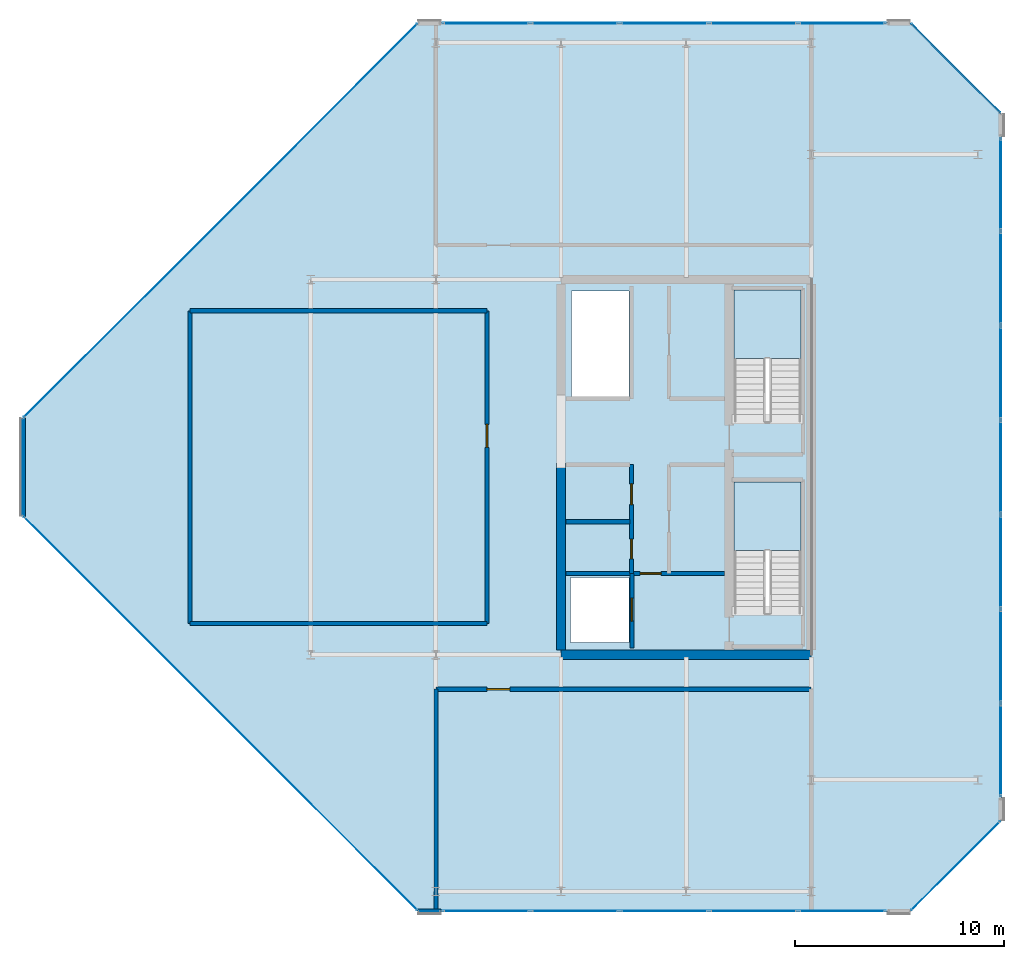
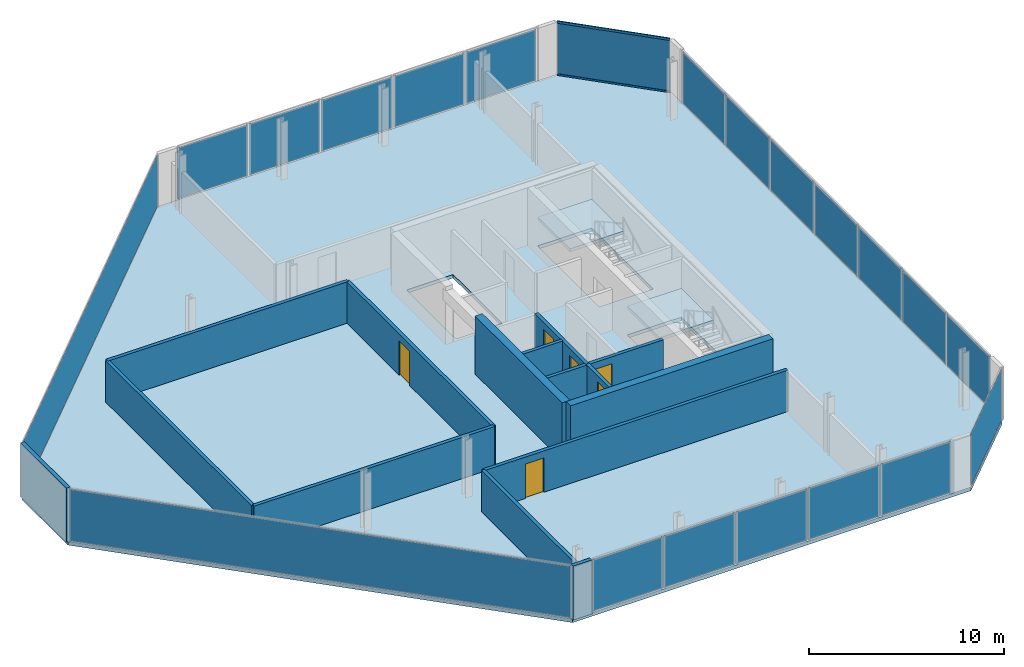
# One storey, part 13 of 16: 21 plates, 14 walls, 6 doors, 3 slabs, 2 members, 6 openings, 9 elements without a shape of their own.
"""IFC4 building model written with IfcOpenShell, lengths in metres."""

from ifc_helpers import new_model, si_unit, direction, frame, frame_2d, origin, origin_2d, place, context, subcontext, project, spatial, polyline, rectangle, hollow_rectangle, outline, extrude, material, layer, layer_set, material_profile, profile_set, type_object, element, fill, aggregate, save


model = new_model("IFC4")

# Units and contexts
model_context = context("Model", 3, precision=1e-05, world=origin(), true_north=direction((0.0, 1.0)))
body_context = subcontext(model_context, "Body", "Model", "MODEL_VIEW")
ifc_project = project(units=[si_unit("LENGTHUNIT", "METRE"), si_unit("AREAUNIT", "SQUARE_METRE"), si_unit("VOLUMEUNIT", "CUBIC_METRE"), si_unit("PLANEANGLEUNIT", "RADIAN"), si_unit("MASSUNIT", "GRAM", prefix="KILO")], contexts=[model_context])

# Site, building, storey
site_placement = place(None, origin())
site = spatial("IfcSite", under=ifc_project, at=site_placement, CompositionType="ELEMENT")
building_placement = place(site_placement, origin())
building = spatial("IfcBuilding", under=site, at=building_placement, Name="Tanjung Sevakor Pilgrim Tower", CompositionType="ELEMENT")
storey_placement = place(building_placement, frame((0.0, 0.0, 275.219970703125)))
storey = spatial("IfcBuildingStorey", under=building, at=storey_placement, Name="L77", CompositionType="ELEMENT", Elevation=275.219970703125)

# Curtain wall, members
ifc_material_1 = material(Name="Aluminium 6063-T6 and Low-E Glass", Category="aluminium")
ifc_layer_1 = layer(ifc_material_1, 0.179931640625)
ifc_layer_set_1 = layer_set([ifc_layer_1], Name="CW-SYS-CHAM")
curtain_wall_type_1 = type_object("IfcCurtainWallType", Name="CW-SYS-CHAM", PredefinedType="NOTDEFINED", material=ifc_layer_set_1)
curtain_wall_1_placement = place(storey_placement, origin())
curtain_wall_1 = element("IfcCurtainWall", 1, at=curtain_wall_1_placement, inside=storey, type_object=curtain_wall_type_1, Name="L77 Curtain Wall CW-CHM-L77-EAST-3", PredefinedType="NOTDEFINED")
ifc_material_2 = material(Name="Aluminium 6063-T6", Category="aluminium")
ifc_material_profile = material_profile(ifc_material_2, hollow_rectangle(XDim=0.06494140625, YDim=0.139892578125, WallThickness=0.00390625, at=origin_2d()))
ifc_profile_set = profile_set([ifc_material_profile], Name="Aluminium 6063-T6")
member_type = type_object("IfcMemberType", Name="TYPE-CWT-1", PredefinedType="USERDEFINED", material=ifc_profile_set)
member_1_placement = place(storey_placement, frame((99.0439453125, 50.600341796875, 0.032470703125), z_axis=(-0.707106781187, 0.707106781187, 0.0), x_axis=(-0.707106781187, -0.707106781187, 0.0)))
member_1 = element("IfcMember", 2, at=member_1_placement, type_object=member_type, Name="CW-CHM transom 1.1", ObjectType="TRANSOM", PredefinedType="USERDEFINED", context=body_context, shape_type="SweptSolid", body=[
    extrude(hollow_rectangle(XDim=0.06494140625, YDim=0.139892578125, WallThickness=0.00390625, at=origin_2d()), origin(), (0.0, 0.0, 1.0), 6.00146484375),
])
member_2_placement = place(storey_placement, frame((99.0439453125, 50.600341796875, 3.337646484375), z_axis=(-0.707106781187, 0.707106781187, 0.0), x_axis=(-0.707106781187, -0.707106781187, 0.0)))
member_2 = element("IfcMember", 3, at=member_2_placement, type_object=member_type, Name="CW-CHM transom 1.2", ObjectType="TRANSOM", PredefinedType="USERDEFINED", context=body_context, shape_type="SweptSolid", body=[
    extrude(hollow_rectangle(XDim=0.06494140625, YDim=0.139892578125, WallThickness=0.00390625, at=origin_2d()), origin(), (0.0, 0.0, 1.0), 6.00146484375),
])

# Stair, slab
ifc_material_3 = material(Name="Concrete C40/50", Category="concrete")
stair_type = type_object("IfcStairType", Name="STAIR-ST-CR150", PredefinedType="HALF_TURN_STAIR", material=ifc_material_3)
stair_1_placement = place(storey_placement, origin())
stair_1 = element("IfcStair", 4, at=stair_1_placement, inside=storey, type_object=stair_type, Name="L77 East Core Exit Stair 1", PredefinedType="HALF_TURN_STAIR")
ifc_material_4 = material(Name="Concrete C40/50", Category="concrete")
ifc_layer_2 = layer(ifc_material_4, 0.199951171875)
ifc_layer_set_2 = layer_set([ifc_layer_2], Name="SL-LAND-200")
slab_type_1 = type_object("IfcSlabType", Name="SL-LAND-200", PredefinedType="LANDING", material=ifc_layer_set_2)
slab_1_placement = place(storey_placement, frame((0.0, 0.0, 1.614990234375)))
slab_1 = element("IfcSlab", 5, at=slab_1_placement, type_object=slab_type_1, Name="TS-E1 landing 1", PredefinedType="LANDING", context=body_context, shape_type="SweptSolid", body=[
    extrude(outline(polyline([(89.5, 29.60009765625), (89.5, 32.89990234375), (86.300048828125, 32.89990234375), (86.300048828125, 29.60009765625), (89.5, 29.60009765625)])), origin(), (0.0, 0.0, 1.0), 0.199951171875),
])
aggregate(stair_1, [slab_1])

stair_2_placement = place(storey_placement, origin())
stair_2 = element("IfcStair", 6, at=stair_2_placement, inside=storey, type_object=stair_type, Name="L77 East Core Exit Stair 2", PredefinedType="HALF_TURN_STAIR")
slab_2_placement = place(storey_placement, frame((0.0, 0.0, 1.614990234375)))
slab_2 = element("IfcSlab", 7, at=slab_2_placement, type_object=slab_type_1, Name="TS-E2 landing 1", PredefinedType="LANDING", context=body_context, shape_type="SweptSolid", body=[
    extrude(outline(polyline([(89.5, 38.800048828125), (89.5, 42.10009765625), (86.300048828125, 42.10009765625), (86.300048828125, 38.800048828125), (89.5, 38.800048828125)])), origin(), (0.0, 0.0, 1.0), 0.199951171875),
])
aggregate(stair_2, [slab_2])

# Slab
ifc_material_5 = material(Name="Concrete C40/50", Category="concrete")
ifc_layer_3 = layer(ifc_material_5, 0.219970703125)
ifc_layer_set_3 = layer_set([ifc_layer_3], Name="SL-TWR-220")
slab_type_2 = type_object("IfcSlabType", Name="SL-TWR-220", PredefinedType="FLOOR", material=ifc_layer_set_3)
slab_3_placement = place(storey_placement, frame((0.0, 0.0, -0.219970703125)))
element("IfcSlab", 8, at=slab_3_placement, inside=storey, type_object=slab_type_2, Name="L77 Floor Slab EAST", PredefinedType="FLOOR", context=body_context, shape_type="SweptSolid", body=[
    extrude(outline(polyline([(71.14697265625, 12.280029296875), (94.753173828125, 12.280029296875), (99.1201171875, 16.64697265625), (99.1201171875, 50.552978515625), (94.753173828125, 54.919921875), (71.14697265625, 54.919921875), (52.179931640625, 35.953125), (52.179931640625, 31.246826171875), (71.14697265625, 12.280029296875)]), holes=[polyline([(89.5, 26.60009765625), (89.5, 32.89990234375), (86.300048828125, 32.89990234375), (86.300048828125, 26.60009765625), (89.5, 26.60009765625)]), polyline([(89.5, 35.800048828125), (89.5, 42.10009765625), (86.300048828125, 42.10009765625), (86.300048828125, 35.800048828125), (89.5, 35.800048828125)]), polyline([(78.449951171875, 25.199951171875), (81.25, 25.199951171875), (81.25, 28.300048828125), (78.449951171875, 28.300048828125), (78.449951171875, 25.199951171875)]), polyline([(78.5, 37.0), (81.25, 37.0), (81.25, 42.050048828125), (78.5, 42.050048828125), (78.5, 37.0)])]), origin(), (0.0, 0.0, 1.0), 0.219970703125),
])

# Curtain wall, plate
curtain_wall_2_placement = place(storey_placement, origin())
curtain_wall_2 = element("IfcCurtainWall", 9, at=curtain_wall_2_placement, inside=storey, type_object=curtain_wall_type_1, Name="L77 Curtain Wall CW-CHM-L77-EAST-1", PredefinedType="NOTDEFINED")
ifc_material_6 = material(Name="Laminated Low-E Double Glazing", Category="glass")
ifc_layer_4 = layer(ifc_material_6, 0.028076171875)
ifc_layer_set_4 = layer_set([ifc_layer_4], Name="TYPE-CWP-GLZ1")
plate_type_1 = type_object("IfcPlateType", Name="TYPE-CWP-GLZ1", PredefinedType="CURTAIN_PANEL", material=ifc_layer_set_4)
plate_1_placement = place(storey_placement, frame((96.922119140625, 14.477783203125, 0.06494140625), z_axis=(0.0, 0.0, 1.0), x_axis=(0.707106781187, 0.707106781187, 0.0)))
plate_1 = element("IfcPlate", 10, at=plate_1_placement, type_object=plate_type_1, Name="CW-CHM panel 1.1", PredefinedType="CURTAIN_PANEL", context=body_context, shape_type="SweptSolid", body=[
    extrude(rectangle(XDim=6.00146484375, YDim=0.028076171875, at=origin_2d()), origin(), (0.0, 0.0, 1.0), 3.239990234375),
])
aggregate(curtain_wall_2, [plate_1])

# Plate
plate_2_placement = place(storey_placement, frame((96.922119140625, 52.72216796875, 0.06494140625), z_axis=(0.0, 0.0, 1.0), x_axis=(-0.707106781187, 0.707106781187, 0.0)))
plate_2 = element("IfcPlate", 11, at=plate_2_placement, type_object=plate_type_1, Name="CW-CHM panel 1.1", PredefinedType="CURTAIN_PANEL", context=body_context, shape_type="SweptSolid", body=[
    extrude(rectangle(XDim=6.00146484375, YDim=0.028076171875, at=origin_2d()), origin(), (0.0, 0.0, 1.0), 3.239990234375),
])

aggregate(curtain_wall_1, [member_1, member_2, plate_2])

# Curtain wall, plate
curtain_wall_3_placement = place(storey_placement, origin())
curtain_wall_3 = element("IfcCurtainWall", 12, at=curtain_wall_3_placement, inside=storey, type_object=curtain_wall_type_1, Name="L77 Curtain Wall CW-CHM-L77-EAST-5", PredefinedType="NOTDEFINED")
plate_3_placement = place(storey_placement, frame((61.677734375, 45.422119140625, 0.06494140625), z_axis=(0.0, 0.0, 1.0), x_axis=(-0.707106781187, -0.707106781187, 0.0)))
plate_3 = element("IfcPlate", 13, at=plate_3_placement, type_object=plate_type_1, Name="CW-CHM panel 1.1", PredefinedType="CURTAIN_PANEL", context=body_context, shape_type="SweptSolid", body=[
    extrude(rectangle(XDim=26.64892578125, YDim=0.028076171875, at=origin_2d()), origin(), (0.0, 0.0, 1.0), 3.239990234375),
])
aggregate(curtain_wall_3, [plate_3])

curtain_wall_4_placement = place(storey_placement, origin())
curtain_wall_4 = element("IfcCurtainWall", 14, at=curtain_wall_4_placement, inside=storey, type_object=curtain_wall_type_1, Name="L77 Curtain Wall CW-CHM-L77-EAST-7", PredefinedType="NOTDEFINED")
plate_4_placement = place(storey_placement, frame((61.677734375, 21.77783203125, 0.06494140625), z_axis=(0.0, 0.0, 1.0), x_axis=(0.707106781187, -0.707106781187, 0.0)))
plate_4 = element("IfcPlate", 15, at=plate_4_placement, type_object=plate_type_1, Name="CW-CHM panel 1.1", PredefinedType="CURTAIN_PANEL", context=body_context, shape_type="SweptSolid", body=[
    extrude(rectangle(XDim=26.64892578125, YDim=0.028076171875, at=origin_2d()), origin(), (0.0, 0.0, 1.0), 3.239990234375),
])
aggregate(curtain_wall_4, [plate_4])

# Curtain wall, plates
ifc_material_7 = material(Name="Aluminium 6063-T6 and Low-E Glass", Category="aluminium")
ifc_layer_5 = layer(ifc_material_7, 0.219970703125)
ifc_layer_set_5 = layer_set([ifc_layer_5], Name="CW-SYS-CRNE")
curtain_wall_type_2 = type_object("IfcCurtainWallType", Name="CW-SYS-CRNE", PredefinedType="NOTDEFINED", material=ifc_layer_set_5)
curtain_wall_5_placement = place(storey_placement, origin())
curtain_wall_5 = element("IfcCurtainWall", 16, at=curtain_wall_5_placement, inside=storey, type_object=curtain_wall_type_2, Name="L77 Curtain Wall CW-CRN-L77-EAST-0-1", PredefinedType="NOTDEFINED")
ifc_material_8 = material(Name="Solar-Control Low-E Acoustic Glazing", Category="glass")
ifc_layer_6 = layer(ifc_material_8, 0.031982421875)
ifc_layer_set_6 = layer_set([ifc_layer_6], Name="TYPE-CWP-GLZ2")
plate_type_2 = type_object("IfcPlateType", Name="TYPE-CWP-GLZ2", PredefinedType="CURTAIN_PANEL", material=ifc_layer_set_6)
plate_5_placement = place(storey_placement, frame((74.406494140625, 12.31005859375, 0.080078125), z_axis=(0.0, 0.0, 1.0), x_axis=(1.0, 0.0, 0.0)))
plate_5 = element("IfcPlate", 17, at=plate_5_placement, type_object=plate_type_2, Name="CW-CRE panel 1.1", PredefinedType="CURTAIN_PANEL", context=body_context, shape_type="SweptSolid", body=[
    extrude(rectangle(XDim=4.161865234375, YDim=0.031982421875, at=origin_2d()), origin(), (0.0, 0.0, 1.0), 3.2099609375),
])
plate_6_placement = place(storey_placement, frame((78.668212890625, 12.31005859375, 0.080078125), z_axis=(0.0, 0.0, 1.0), x_axis=(1.0, 0.0, 0.0)))
plate_6 = element("IfcPlate", 18, at=plate_6_placement, type_object=plate_type_2, Name="CW-CRE panel 2.1", PredefinedType="CURTAIN_PANEL", context=body_context, shape_type="SweptSolid", body=[
    extrude(rectangle(XDim=4.20166015625, YDim=0.031982421875, at=origin_2d()), origin(), (0.0, 0.0, 1.0), 3.2099609375),
])
plate_7_placement = place(storey_placement, frame((82.949951171875, 12.31005859375, 0.080078125), z_axis=(0.0, 0.0, 1.0), x_axis=(1.0, 0.0, 0.0)))
plate_7 = element("IfcPlate", 19, at=plate_7_placement, type_object=plate_type_2, Name="CW-CRE panel 3.1", PredefinedType="CURTAIN_PANEL", context=body_context, shape_type="SweptSolid", body=[
    extrude(rectangle(XDim=4.20166015625, YDim=0.031982421875, at=origin_2d()), origin(), (0.0, 0.0, 1.0), 3.2099609375),
])
plate_8_placement = place(storey_placement, frame((87.231689453125, 12.31005859375, 0.080078125), z_axis=(0.0, 0.0, 1.0), x_axis=(1.0, 0.0, 0.0)))
plate_8 = element("IfcPlate", 20, at=plate_8_placement, type_object=plate_type_2, Name="CW-CRE panel 4.1", PredefinedType="CURTAIN_PANEL", context=body_context, shape_type="SweptSolid", body=[
    extrude(rectangle(XDim=4.20166015625, YDim=0.031982421875, at=origin_2d()), origin(), (0.0, 0.0, 1.0), 3.2099609375),
])
plate_9_placement = place(storey_placement, frame((91.493408203125, 12.31005859375, 0.080078125), z_axis=(0.0, 0.0, 1.0), x_axis=(1.0, 0.0, 0.0)))
plate_9 = element("IfcPlate", 21, at=plate_9_placement, type_object=plate_type_2, Name="CW-CRE panel 5.1", PredefinedType="CURTAIN_PANEL", context=body_context, shape_type="SweptSolid", body=[
    extrude(rectangle(XDim=4.161865234375, YDim=0.031982421875, at=origin_2d()), origin(), (0.0, 0.0, 1.0), 3.2099609375),
])
aggregate(curtain_wall_5, [plate_5, plate_6, plate_7, plate_8, plate_9])

curtain_wall_6_placement = place(storey_placement, origin())
curtain_wall_6 = element("IfcCurtainWall", 22, at=curtain_wall_6_placement, inside=storey, type_object=curtain_wall_type_2, Name="L77 Curtain Wall CW-CRN-L77-EAST-2-1", PredefinedType="NOTDEFINED")
plate_10_placement = place(storey_placement, frame((99.090087890625, 20.030517578125, 0.080078125), z_axis=(0.0, 0.0, 1.0), x_axis=(0.0, 1.0, 0.0)))
plate_10 = element("IfcPlate", 23, at=plate_10_placement, type_object=plate_type_2, Name="CW-CRE panel 1.1", PredefinedType="CURTAIN_PANEL", context=body_context, shape_type="SweptSolid", body=[
    extrude(rectangle(XDim=4.409912109375, YDim=0.031982421875, at=origin_2d()), origin(), (0.0, 0.0, 1.0), 3.2099609375),
])
plate_11_placement = place(storey_placement, frame((99.090087890625, 24.540283203125, 0.080078125), z_axis=(0.0, 0.0, 1.0), x_axis=(0.0, 1.0, 0.0)))
plate_11 = element("IfcPlate", 24, at=plate_11_placement, type_object=plate_type_2, Name="CW-CRE panel 2.1", PredefinedType="CURTAIN_PANEL", context=body_context, shape_type="SweptSolid", body=[
    extrude(rectangle(XDim=4.44970703125, YDim=0.031982421875, at=origin_2d()), origin(), (0.0, 0.0, 1.0), 3.2099609375),
])
plate_12_placement = place(storey_placement, frame((99.090087890625, 29.070068359375, 0.080078125), z_axis=(0.0, 0.0, 1.0), x_axis=(0.0, 1.0, 0.0)))
plate_12 = element("IfcPlate", 25, at=plate_12_placement, type_object=plate_type_2, Name="CW-CRE panel 3.1", PredefinedType="CURTAIN_PANEL", context=body_context, shape_type="SweptSolid", body=[
    extrude(rectangle(XDim=4.44970703125, YDim=0.031982421875, at=origin_2d()), origin(), (0.0, 0.0, 1.0), 3.2099609375),
])
plate_13_placement = place(storey_placement, frame((99.090087890625, 33.60009765625, 0.080078125), z_axis=(0.0, 0.0, 1.0), x_axis=(0.0, 1.0, 0.0)))
plate_13 = element("IfcPlate", 26, at=plate_13_placement, type_object=plate_type_2, Name="CW-CRE panel 4.1", PredefinedType="CURTAIN_PANEL", context=body_context, shape_type="SweptSolid", body=[
    extrude(rectangle(XDim=4.44970703125, YDim=0.031982421875, at=origin_2d()), origin(), (0.0, 0.0, 1.0), 3.2099609375),
])
plate_14_placement = place(storey_placement, frame((99.090087890625, 38.1298828125, 0.080078125), z_axis=(0.0, 0.0, 1.0), x_axis=(0.0, 1.0, 0.0)))
plate_14 = element("IfcPlate", 27, at=plate_14_placement, type_object=plate_type_2, Name="CW-CRE panel 5.1", PredefinedType="CURTAIN_PANEL", context=body_context, shape_type="SweptSolid", body=[
    extrude(rectangle(XDim=4.44970703125, YDim=0.031982421875, at=origin_2d()), origin(), (0.0, 0.0, 1.0), 3.2099609375),
])
plate_15_placement = place(storey_placement, frame((99.090087890625, 42.65966796875, 0.080078125), z_axis=(0.0, 0.0, 1.0), x_axis=(0.0, 1.0, 0.0)))
plate_15 = element("IfcPlate", 28, at=plate_15_placement, type_object=plate_type_2, Name="CW-CRE panel 6.1", PredefinedType="CURTAIN_PANEL", context=body_context, shape_type="SweptSolid", body=[
    extrude(rectangle(XDim=4.44970703125, YDim=0.031982421875, at=origin_2d()), origin(), (0.0, 0.0, 1.0), 3.2099609375),
])
plate_16_placement = place(storey_placement, frame((99.090087890625, 47.16943359375, 0.080078125), z_axis=(0.0, 0.0, 1.0), x_axis=(0.0, 1.0, 0.0)))
plate_16 = element("IfcPlate", 29, at=plate_16_placement, type_object=plate_type_2, Name="CW-CRE panel 7.1", PredefinedType="CURTAIN_PANEL", context=body_context, shape_type="SweptSolid", body=[
    extrude(rectangle(XDim=4.409912109375, YDim=0.031982421875, at=origin_2d()), origin(), (0.0, 0.0, 1.0), 3.2099609375),
])
aggregate(curtain_wall_6, [plate_10, plate_11, plate_12, plate_13, plate_14, plate_15, plate_16])

curtain_wall_7_placement = place(storey_placement, origin())
curtain_wall_7 = element("IfcCurtainWall", 30, at=curtain_wall_7_placement, inside=storey, type_object=curtain_wall_type_2, Name="L77 Curtain Wall CW-CRN-L77-EAST-4-1", PredefinedType="NOTDEFINED")
plate_17_placement = place(storey_placement, frame((91.493408203125, 54.889892578125, 0.080078125), z_axis=(0.0, 0.0, 1.0), x_axis=(-1.0, 0.0, 0.0)))
plate_17 = element("IfcPlate", 31, at=plate_17_placement, type_object=plate_type_2, Name="CW-CRE panel 1.1", PredefinedType="CURTAIN_PANEL", context=body_context, shape_type="SweptSolid", body=[
    extrude(rectangle(XDim=4.161865234375, YDim=0.031982421875, at=origin_2d()), origin(), (0.0, 0.0, 1.0), 3.2099609375),
])
plate_18_placement = place(storey_placement, frame((87.231689453125, 54.889892578125, 0.080078125), z_axis=(0.0, 0.0, 1.0), x_axis=(-1.0, 0.0, 0.0)))
plate_18 = element("IfcPlate", 32, at=plate_18_placement, type_object=plate_type_2, Name="CW-CRE panel 2.1", PredefinedType="CURTAIN_PANEL", context=body_context, shape_type="SweptSolid", body=[
    extrude(rectangle(XDim=4.20166015625, YDim=0.031982421875, at=origin_2d()), origin(), (0.0, 0.0, 1.0), 3.2099609375),
])
plate_19_placement = place(storey_placement, frame((82.949951171875, 54.889892578125, 0.080078125), z_axis=(0.0, 0.0, 1.0), x_axis=(-1.0, 0.0, 0.0)))
plate_19 = element("IfcPlate", 33, at=plate_19_placement, type_object=plate_type_2, Name="CW-CRE panel 3.1", PredefinedType="CURTAIN_PANEL", context=body_context, shape_type="SweptSolid", body=[
    extrude(rectangle(XDim=4.20166015625, YDim=0.031982421875, at=origin_2d()), origin(), (0.0, 0.0, 1.0), 3.2099609375),
])
plate_20_placement = place(storey_placement, frame((78.668212890625, 54.889892578125, 0.080078125), z_axis=(0.0, 0.0, 1.0), x_axis=(-1.0, 0.0, 0.0)))
plate_20 = element("IfcPlate", 34, at=plate_20_placement, type_object=plate_type_2, Name="CW-CRE panel 4.1", PredefinedType="CURTAIN_PANEL", context=body_context, shape_type="SweptSolid", body=[
    extrude(rectangle(XDim=4.20166015625, YDim=0.031982421875, at=origin_2d()), origin(), (0.0, 0.0, 1.0), 3.2099609375),
])
plate_21_placement = place(storey_placement, frame((74.406494140625, 54.889892578125, 0.080078125), z_axis=(0.0, 0.0, 1.0), x_axis=(-1.0, 0.0, 0.0)))
plate_21 = element("IfcPlate", 35, at=plate_21_placement, type_object=plate_type_2, Name="CW-CRE panel 5.1", PredefinedType="CURTAIN_PANEL", context=body_context, shape_type="SweptSolid", body=[
    extrude(rectangle(XDim=4.161865234375, YDim=0.031982421875, at=origin_2d()), origin(), (0.0, 0.0, 1.0), 3.2099609375),
])
aggregate(curtain_wall_7, [plate_17, plate_18, plate_19, plate_20, plate_21])

# Walls
ifc_material_9 = material(Name="Concrete C60/75", Category="concrete")
ifc_layer_7 = layer(ifc_material_9, 0.449951171875)
ifc_layer_set_7 = layer_set([ifc_layer_7], Name="WALL-CW-450")
wall_type_1 = type_object("IfcWallType", Name="WALL-CW-450", PredefinedType="SHEAR", material=ifc_layer_set_7)
wall_1_placement = place(storey_placement, frame((78.0, 24.60009765625, 0.0), z_axis=(0.0, 0.0, 1.0), x_axis=(1.0, 0.0, 0.0)))
element("IfcWall", 36, at=wall_1_placement, inside=storey, type_object=wall_type_1, Name="L77 E Core South Shear Wall", PredefinedType="SHEAR", context=body_context, shape_type="SweptSolid", body=[
    extrude(rectangle(XDim=12.0, YDim=0.449951171875, at=frame_2d((6.0, 0.0))), origin(), (0.0, 0.0, 1.0), 3.630126953125),
])
wall_2_placement = place(storey_placement, frame((78.0, 24.824951171875, 0.0), z_axis=(0.0, 0.0, 1.0), x_axis=(0.0, 1.0, 0.0)))
element("IfcWall", 37, at=wall_2_placement, inside=storey, type_object=wall_type_1, Name="L77 E Core Inner Shear Wall South", PredefinedType="SHEAR", context=body_context, shape_type="SweptSolid", body=[
    extrude(rectangle(XDim=8.97509765625, YDim=0.449951171875, at=frame_2d((4.487548828125, 0.0))), origin(), (0.0, 0.0, 1.0), 3.630126953125),
])
ifc_material_10 = material(Name="Precast concrete C45/55", Category="concrete")
ifc_layer_8 = layer(ifc_material_10, 0.219970703125)
ifc_layer_set_8 = layer_set([ifc_layer_8], Name="WT-EW-STN4")
wall_type_2 = type_object("IfcWallType", Name="WT-EW-STN4", PredefinedType="SOLIDWALL", material=ifc_layer_set_8)
wall_3_placement = place(storey_placement, frame((71.1455078125, 12.31005859375, 0.0), z_axis=(0.0, 0.0, 1.0), x_axis=(1.0, 0.0, 0.0)))
element("IfcWall", 38, at=wall_3_placement, inside=storey, type_object=wall_type_2, Name="L77 EAST Crown Pier 0-1A", PredefinedType="SOLIDWALL", context=body_context, shape_type="SweptSolid", body=[
    extrude(rectangle(XDim=1.10009765625, YDim=0.219970703125, at=frame_2d((0.550048828125, 0.0))), origin(), (0.0, 0.0, 1.0), 3.3701171875),
])
wall_4_placement = place(storey_placement, frame((52.2099609375, 35.954345703125, 0.0), z_axis=(0.0, 0.0, 1.0), x_axis=(0.0, -1.0, 0.0)))
element("IfcWall", 39, at=wall_4_placement, inside=storey, type_object=wall_type_2, Name="L77 EAST Exterior Wall 7", PredefinedType="SOLIDWALL", context=body_context, shape_type="SweptSolid", body=[
    extrude(rectangle(XDim=4.708740234375, YDim=0.219970703125, at=frame_2d((2.3544921875, 0.0))), origin(), (0.0, 0.0, 1.0), 3.3701171875),
])

# Wall, opening, door
ifc_material_11 = material(Name="Concrete C40/50", Category="concrete")
ifc_layer_9 = layer(ifc_material_11, 0.199951171875)
ifc_layer_set_9 = layer_set([ifc_layer_9], Name="WT-FPRT-200")
wall_type_3 = type_object("IfcWallType", Name="WT-FPRT-200", PredefinedType="SOLIDWALL", material=ifc_layer_set_9)
wall_5_placement = place(storey_placement, frame((81.39990234375, 24.919921875, 0.0), z_axis=(0.0, 0.0, 1.0), x_axis=(0.0, 1.0, 0.0)))
wall_5 = element("IfcWall", 40, at=wall_5_placement, inside=storey, type_object=wall_type_3, Name="L77 Partition IW-L77-001", PredefinedType="SOLIDWALL", context=body_context, shape_type="SweptSolid", body=[
    extrude(rectangle(XDim=3.580078125, YDim=0.199951171875, at=frame_2d((1.7900390625, 0.0))), origin(), (0.0, 0.0, 1.0), 2.590087890625),
])
opening_1_placement = place(wall_5_placement, frame((1.300048828125, 0.0, 0.0)))
opening_1 = element("IfcOpeningElement", 41, at=opening_1_placement, cuts=wall_5, Name="Opening LD-1100", PredefinedType="OPENING", context=body_context, shape_type="SweptSolid", body=[
    extrude(rectangle(XDim=1.10009765625, YDim=2.199951171875, at=frame_2d((0.550048828125, 1.10009765625))), frame((0.0, 0.10986328125, 0.0), z_axis=(0.0, -1.0, 0.0), x_axis=(1.0, 0.0, 0.0)), (0.0, 0.0, 1.0), 0.219970703125),
])
ifc_material_12 = material(Name="Brushed Stainless Steel S355J2", Category="steel")
door_type_1 = type_object("IfcDoorType", Name="DT-LIFT-1100", OperationType="SLIDING_TO_LEFT", PredefinedType="DOOR", material=ifc_material_12)
door_1_placement = place(opening_1_placement, origin())
door_1 = element("IfcDoor", 42, at=door_1_placement, inside=storey, type_object=door_type_1, Name="LD-FL-E", OperationType="SLIDING_TO_LEFT", OverallHeight=2.199951171875, OverallWidth=1.10009765625, PredefinedType="DOOR", context=body_context, shape_type="SweptSolid", body=[
    extrude(rectangle(XDim=1.10009765625, YDim=2.199951171875, at=frame_2d((0.550048828125, 1.10009765625))), frame((0.0, 0.02490234375, 0.0), z_axis=(0.0, -1.0, 0.0), x_axis=(1.0, 0.0, 0.0)), (0.0, 0.0, 1.0), 0.050048828125),
])
fill(opening_1, door_1)

wall_6_placement = place(storey_placement, frame((78.2451171875, 28.5, 0.0), z_axis=(0.0, 0.0, 1.0), x_axis=(1.0, 0.0, 0.0)))
wall_6 = element("IfcWall", 43, at=wall_6_placement, inside=storey, type_object=wall_type_3, Name="L77 Partition IW-L77-002", PredefinedType="SOLIDWALL", context=body_context, shape_type="SweptSolid", body=[
    extrude(rectangle(XDim=7.5849609375, YDim=0.199951171875, at=frame_2d((3.79248046875, 0.0))), origin(), (0.0, 0.0, 1.0), 2.590087890625),
])
opening_2_placement = place(wall_6_placement, frame((3.554931640625, 0.0, 0.0)))
opening_2 = element("IfcOpeningElement", 44, at=opening_2_placement, cuts=wall_6, Name="Opening ID-FD1", PredefinedType="OPENING", context=body_context, shape_type="SweptSolid", body=[
    extrude(rectangle(XDim=1.0, YDim=2.14990234375, at=frame_2d((0.5, 1.074951171875))), frame((0.0, 0.10986328125, 0.0), z_axis=(0.0, -1.0, 0.0), x_axis=(1.0, 0.0, 0.0)), (0.0, 0.0, 1.0), 0.219970703125),
])
ifc_material_13 = material(Name="Fire-Rated Steel S355J2", Category="steel")
door_type_2 = type_object("IfcDoorType", Name="DT-FIRE-1000", OperationType="NOTDEFINED", PredefinedType="DOOR", material=ifc_material_13)
door_2_placement = place(opening_2_placement, origin())
door_2 = element("IfcDoor", 45, at=door_2_placement, inside=storey, type_object=door_type_2, Name="Fire Lobby Door E", OperationType="SINGLE_SWING_RIGHT", OverallHeight=2.14990234375, OverallWidth=1.0, PredefinedType="DOOR", context=body_context, shape_type="SweptSolid", body=[
    extrude(rectangle(XDim=1.0, YDim=2.14990234375, at=frame_2d((0.5, 1.074951171875))), frame((0.0, 0.02490234375, 0.0), z_axis=(0.0, -1.0, 0.0), x_axis=(1.0, 0.0, 0.0)), (0.0, 0.0, 1.0), 0.050048828125),
])
fill(opening_2, door_2)

# Wall
wall_7_placement = place(storey_placement, frame((78.2451171875, 30.97998046875, 0.0), z_axis=(0.0, 0.0, 1.0), x_axis=(1.0, 0.0, 0.0)))
element("IfcWall", 46, at=wall_7_placement, inside=storey, type_object=wall_type_3, Name="L77 Partition IW-L77-005", PredefinedType="SOLIDWALL", context=body_context, shape_type="SweptSolid", body=[
    extrude(rectangle(XDim=3.074951171875, YDim=0.199951171875, at=frame_2d((1.53759765625, 0.0))), origin(), (0.0, 0.0, 1.0), 2.590087890625),
])

# Wall, openings, doors
wall_8_placement = place(storey_placement, frame((81.3798828125, 28.5, 0.0), z_axis=(0.0, 0.0, 1.0), x_axis=(0.0, 1.0, 0.0)))
wall_8 = element("IfcWall", 47, at=wall_8_placement, inside=storey, type_object=wall_type_3, Name="L77 Partition IW-L77-007", PredefinedType="SOLIDWALL", context=body_context, shape_type="SweptSolid", body=[
    extrude(rectangle(XDim=5.219970703125, YDim=0.199951171875, at=frame_2d((2.60986328125, 0.0))), origin(), (0.0, 0.0, 1.0), 2.590087890625),
])
opening_3_placement = place(wall_8_placement, frame((0.699951171875, 0.0, 0.0)))
opening_3 = element("IfcOpeningElement", 48, at=opening_3_placement, cuts=wall_8, Name="Opening ID-FD2", PredefinedType="OPENING", context=body_context, shape_type="SweptSolid", body=[
    extrude(rectangle(XDim=0.949951171875, YDim=2.14990234375, at=frame_2d((0.47509765625, 1.074951171875))), frame((0.0, 0.10986328125, 0.0), z_axis=(0.0, -1.0, 0.0), x_axis=(1.0, 0.0, 0.0)), (0.0, 0.0, 1.0), 0.219970703125),
])
opening_4_placement = place(wall_8_placement, frame((3.300048828125, 0.0, 0.0)))
opening_4 = element("IfcOpeningElement", 49, at=opening_4_placement, cuts=wall_8, Name="Opening ID-FD1", PredefinedType="OPENING", context=body_context, shape_type="SweptSolid", body=[
    extrude(rectangle(XDim=1.0, YDim=2.14990234375, at=frame_2d((0.5, 1.074951171875))), frame((0.0, 0.10986328125, 0.0), z_axis=(0.0, -1.0, 0.0), x_axis=(1.0, 0.0, 0.0)), (0.0, 0.0, 1.0), 0.219970703125),
])
door_3_placement = place(opening_4_placement, origin())
door_3 = element("IfcDoor", 50, at=door_3_placement, inside=storey, type_object=door_type_2, Name="L77 Core AHU Plant Door", OperationType="SINGLE_SWING_LEFT", OverallHeight=2.14990234375, OverallWidth=1.0, PredefinedType="DOOR", context=body_context, shape_type="SweptSolid", body=[
    extrude(rectangle(XDim=1.0, YDim=2.14990234375, at=frame_2d((0.5, 1.074951171875))), frame((0.0, 0.02490234375, 0.0), z_axis=(0.0, -1.0, 0.0), x_axis=(1.0, 0.0, 0.0)), (0.0, 0.0, 1.0), 0.050048828125),
])
fill(opening_4, door_3)
ifc_material_14 = material(Name="Fire-Rated Timber", Category="wood")
door_type_3 = type_object("IfcDoorType", Name="DT-FIRE-950", OperationType="NOTDEFINED", PredefinedType="DOOR", material=ifc_material_14)
door_4_placement = place(opening_3_placement, origin())
door_4 = element("IfcDoor", 51, at=door_4_placement, inside=storey, type_object=door_type_3, Name="L77 Core Accessible WC Door", OperationType="SINGLE_SWING_RIGHT", OverallHeight=2.14990234375, OverallWidth=0.949951171875, PredefinedType="DOOR", context=body_context, shape_type="SweptSolid", body=[
    extrude(rectangle(XDim=0.949951171875, YDim=2.14990234375, at=frame_2d((0.47509765625, 1.074951171875))), frame((0.0, 0.02490234375, 0.0), z_axis=(0.0, -1.0, 0.0), x_axis=(1.0, 0.0, 0.0)), (0.0, 0.0, 1.0), 0.050048828125),
])
fill(opening_3, door_4)

# Walls
for number, where, z_axis, x_axis, name in (
    (52, (60.199951171875, 26.10009765625, 0.0), (0.0, 0.0, 1.0), (1.0, 0.0, 0.0), "L77 Partition IW-L77-012"),
    (53, (60.199951171875, 41.10009765625, 0.0), (0.0, 0.0, 1.0), (1.0, 0.0, 0.0), "L77 Partition IW-L77-013"),
):
    element("IfcWall", number, at=place(storey_placement, frame(where, z_axis=z_axis, x_axis=x_axis)), inside=storey, type_object=wall_type_3, Name=name, PredefinedType="SOLIDWALL", context=body_context, shape_type="SweptSolid", body=[
        extrude(rectangle(XDim=14.25, YDim=0.199951171875, at=frame_2d((7.125, 0.0))), origin(), (0.0, 0.0, 1.0), 2.590087890625),
    ])
wall_9_placement = place(storey_placement, frame((60.199951171875, 26.10009765625, 0.0), z_axis=(0.0, 0.0, 1.0), x_axis=(0.0, 1.0, 0.0)))
element("IfcWall", 54, at=wall_9_placement, inside=storey, type_object=wall_type_3, Name="L77 Partition IW-L77-014", PredefinedType="SOLIDWALL", context=body_context, shape_type="SweptSolid", body=[
    extrude(rectangle(XDim=15.0, YDim=0.199951171875, at=frame_2d((7.5, 0.0))), origin(), (0.0, 0.0, 1.0), 2.590087890625),
])

# Wall, opening, door
wall_10_placement = place(storey_placement, frame((74.449951171875, 26.10009765625, 0.0), z_axis=(0.0, 0.0, 1.0), x_axis=(0.0, 1.0, 0.0)))
wall_10 = element("IfcWall", 55, at=wall_10_placement, inside=storey, type_object=wall_type_3, Name="L77 Partition IW-L77-015", PredefinedType="SOLIDWALL", context=body_context, shape_type="SweptSolid", body=[
    extrude(rectangle(XDim=15.0, YDim=0.199951171875, at=frame_2d((7.5, 0.0))), origin(), (0.0, 0.0, 1.0), 2.590087890625),
])
opening_5_placement = place(wall_10_placement, frame((8.449951171875, 0.0, 0.0)))
opening_5 = element("IfcOpeningElement", 56, at=opening_5_placement, cuts=wall_10, Name="Opening ID-FD0", PredefinedType="OPENING", context=body_context, shape_type="SweptSolid", body=[
    extrude(rectangle(XDim=1.10009765625, YDim=2.14990234375, at=frame_2d((0.550048828125, 1.074951171875))), frame((0.0, 0.10986328125, 0.0), z_axis=(0.0, -1.0, 0.0), x_axis=(1.0, 0.0, 0.0)), (0.0, 0.0, 1.0), 0.219970703125),
])
ifc_material_15 = material(Name="Fire-Rated Steel S355J2", Category="steel")
door_type_4 = type_object("IfcDoorType", Name="DT-FIRE-1100", OperationType="NOTDEFINED", PredefinedType="DOOR", material=ifc_material_15)
door_5_placement = place(opening_5_placement, origin())
door_5 = element("IfcDoor", 57, at=door_5_placement, inside=storey, type_object=door_type_4, Name="L77 Lift Machinery East Door", OperationType="SINGLE_SWING_LEFT", OverallHeight=2.14990234375, OverallWidth=1.10009765625, PredefinedType="DOOR", context=body_context, shape_type="SweptSolid", body=[
    extrude(rectangle(XDim=1.10009765625, YDim=2.14990234375, at=frame_2d((0.550048828125, 1.074951171875))), frame((0.0, 0.02490234375, 0.0), z_axis=(0.0, -1.0, 0.0), x_axis=(1.0, 0.0, 0.0)), (0.0, 0.0, 1.0), 0.050048828125),
])
fill(opening_5, door_5)

wall_11_placement = place(storey_placement, frame((72.0, 22.949951171875, 0.0), z_axis=(0.0, 0.0, 1.0), x_axis=(1.0, 0.0, 0.0)))
wall_11 = element("IfcWall", 58, at=wall_11_placement, inside=storey, type_object=wall_type_3, Name="L77 Partition IW-L77-016", PredefinedType="SOLIDWALL", context=body_context, shape_type="SweptSolid", body=[
    extrude(rectangle(XDim=18.0, YDim=0.199951171875, at=frame_2d((9.0, 0.0))), origin(), (0.0, 0.0, 1.0), 2.590087890625),
])
opening_6_placement = place(wall_11_placement, frame((2.449951171875, 0.0, 0.0)))
opening_6 = element("IfcOpeningElement", 59, at=opening_6_placement, cuts=wall_11, Name="Opening ID-FD0", PredefinedType="OPENING", context=body_context, shape_type="SweptSolid", body=[
    extrude(rectangle(XDim=1.10009765625, YDim=2.14990234375, at=frame_2d((0.550048828125, 1.074951171875))), frame((0.0, 0.10986328125, 0.0), z_axis=(0.0, -1.0, 0.0), x_axis=(1.0, 0.0, 0.0)), (0.0, 0.0, 1.0), 0.219970703125),
])
door_6_placement = place(opening_6_placement, origin())
door_6 = element("IfcDoor", 60, at=door_6_placement, inside=storey, type_object=door_type_4, Name="L77 South Plant Room Door", OperationType="SINGLE_SWING_RIGHT", OverallHeight=2.14990234375, OverallWidth=1.10009765625, PredefinedType="DOOR", context=body_context, shape_type="SweptSolid", body=[
    extrude(rectangle(XDim=1.10009765625, YDim=2.14990234375, at=frame_2d((0.550048828125, 1.074951171875))), frame((0.0, 0.02490234375, 0.0), z_axis=(0.0, -1.0, 0.0), x_axis=(1.0, 0.0, 0.0)), (0.0, 0.0, 1.0), 0.050048828125),
])
fill(opening_6, door_6)

# Wall
wall_12_placement = place(storey_placement, frame((72.0, 12.340087890625, 0.0), z_axis=(0.0, 0.0, 1.0), x_axis=(0.0, 1.0, 0.0)))
element("IfcWall", 61, at=wall_12_placement, inside=storey, type_object=wall_type_3, Name="L77 Partition IW-L77-017", PredefinedType="SOLIDWALL", context=body_context, shape_type="SweptSolid", body=[
    extrude(rectangle(XDim=10.60986328125, YDim=0.199951171875, at=frame_2d((5.304931640625, 0.0))), origin(), (0.0, 0.0, 1.0), 2.590087890625),
])

save(model, "model.ifc")
